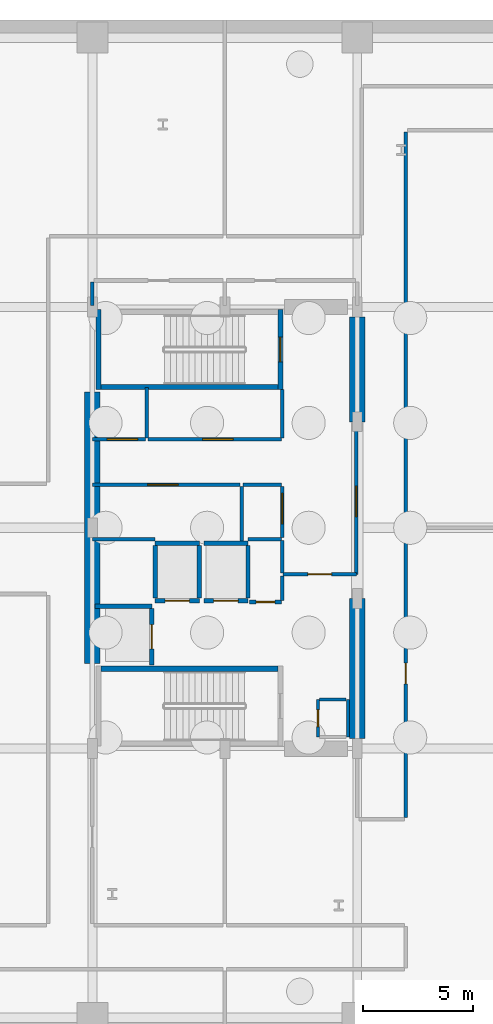
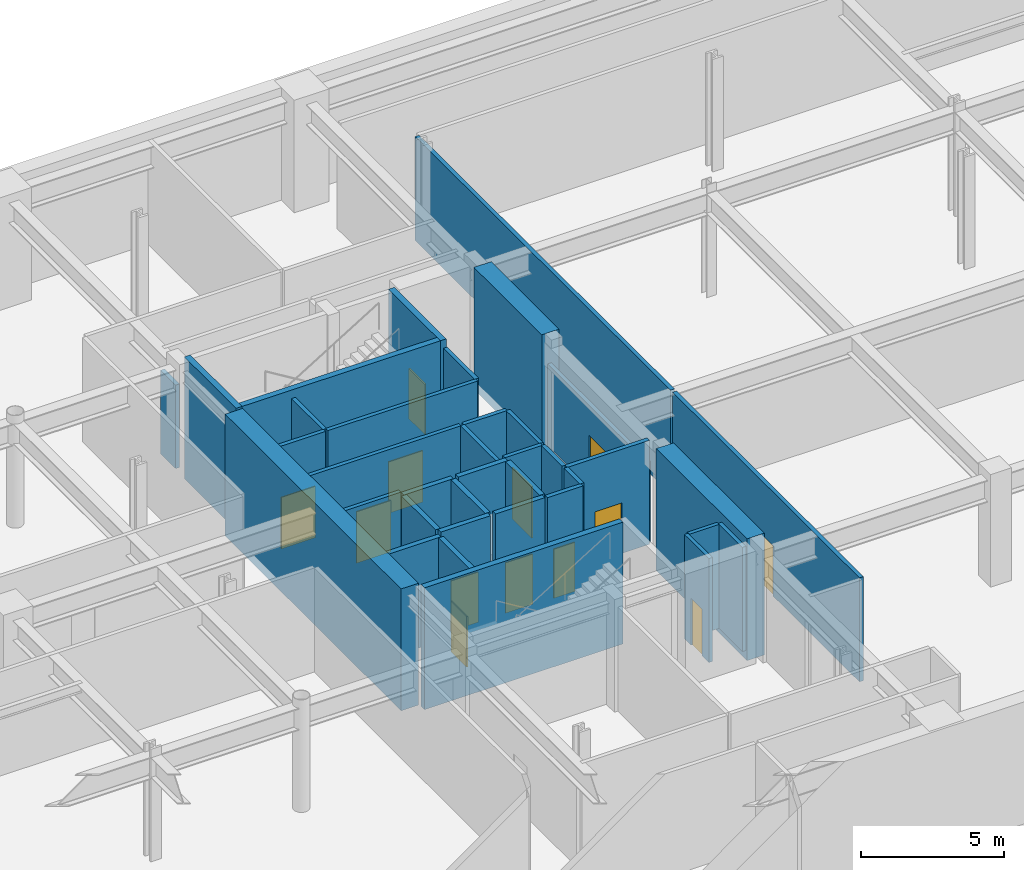
# One storey, part 19 of 25: 37 walls, 13 doors, 13 openings.
"""IFC4 building model written with IfcOpenShell, lengths in metres."""

import ifcopenshell
import ifcopenshell.guid

model = None  # the IFC model being written
_history = None  # IfcOwnerHistory: only IFC2X3 demands one
_inside = {}  # id of a spatial element -> (the spatial element, [elements in it])
_under = {}  # id of a project, library or spatial element -> (it, [spatial elements below it])
_declared = {}  # id of a project -> (the project, [libraries it declares])
_typed = {}  # id of a type object -> (the type object, [elements of that type])
_made_of = {}  # id of a material, layer set ... -> (it, [elements and type objects made of it])


def new_model(schema):
    """Start an empty IFC model of exactly this schema.

    Asked for "IFC4X3", IfcOpenShell would pick the latest addendum, in which some entities
    have other attributes; the version numbers below select the first issue.
    IFC2X3 requires an IfcOwnerHistory on every rooted entity: one is made here for all.
    """
    global model, _history
    if schema == "IFC4X3":
        model = ifcopenshell.file(schema_version=(4, 3, 0, 0))
    else:
        model = ifcopenshell.file(schema=schema)
    _inside.clear()
    _under.clear()
    _declared.clear()
    _typed.clear()
    _made_of.clear()
    _history = None
    if model.schema == "IFC2X3":
        org = make("IfcOrganization", Name="unknown")
        user = make(
            "IfcPersonAndOrganization",
            ThePerson=make("IfcPerson", FamilyName="unknown"),
            TheOrganization=org,
        )
        app = make(
            "IfcApplication",
            ApplicationDeveloper=org,
            Version="unknown",
            ApplicationFullName="unknown",
            ApplicationIdentifier="unknown",
        )
        _history = make(
            "IfcOwnerHistory",
            OwningUser=user,
            OwningApplication=app,
            ChangeAction="ADDED",
            CreationDate=0,
        )
    return model


def make(cls, **values):
    """One entity of the class cls with the attributes given. An attribute that is None is left unset."""
    return model.create_entity(
        cls, **{name: value for name, value in values.items() if value is not None}
    )


def rooted(cls, **values):
    """An entity with a GlobalId (a new one), such as an element, a storey or a relation."""
    return make(cls, GlobalId=ifcopenshell.guid.new(), OwnerHistory=_history, **values)


def si_unit(unit_type, name, prefix=None):
    """IfcSIUnit, for example si_unit("LENGTHUNIT", "METRE", prefix="MILLI")."""
    return make("IfcSIUnit", UnitType=unit_type, Prefix=prefix, Name=name)


def assignment(units):
    """IfcUnitAssignment: the units of a project."""
    return None if units is None else make("IfcUnitAssignment", Units=units)


def point(xyz):
    """IfcCartesianPoint."""
    return None if xyz is None else make("IfcCartesianPoint", Coordinates=xyz)


def direction(xyz):
    """IfcDirection."""
    return None if xyz is None else make("IfcDirection", DirectionRatios=xyz)


def frame(location, z_axis=None, x_axis=None):
    """IfcAxis2Placement3D, a coordinate frame: its origin and axes. An axis left out is left unset."""
    return make(
        "IfcAxis2Placement3D",
        Location=point(location),
        Axis=direction(z_axis),
        RefDirection=direction(x_axis),
    )


def frame_2d(location, x_axis=None):
    """IfcAxis2Placement2D, a coordinate frame in the plane: its origin and x axis."""
    return make(
        "IfcAxis2Placement2D", Location=point(location), RefDirection=direction(x_axis)
    )


def origin():
    """The frame at (0, 0, 0) with its axes left unset."""
    return frame((0.0, 0.0, 0.0))


def place(relative_to, where):
    """IfcLocalPlacement: puts the frame where relative to a parent placement (None: the world)."""
    return make(
        "IfcLocalPlacement", PlacementRelTo=relative_to, RelativePlacement=where
    )


def context(
    kind, dimensions, precision=None, world=None, true_north=None, identifier=None
):
    """IfcGeometricRepresentationContext, for example the 3D "Model" context."""
    return make(
        "IfcGeometricRepresentationContext",
        ContextIdentifier=identifier,
        ContextType=kind,
        CoordinateSpaceDimension=dimensions,
        Precision=precision,
        WorldCoordinateSystem=world,
        TrueNorth=true_north,
    )


def subcontext(parent, identifier, kind, view, scale=None):
    """IfcGeometricRepresentationSubContext, for example "Body" below "Model"."""
    return make(
        "IfcGeometricRepresentationSubContext",
        ContextIdentifier=identifier,
        ContextType=kind,
        ParentContext=parent,
        TargetScale=scale,
        TargetView=view,
    )


def project(units=None, contexts=None):
    """IfcProject with its units and contexts."""
    return rooted(
        "IfcProject",
        Name="project",
        RepresentationContexts=contexts,
        UnitsInContext=assignment(units),
    )


def spatial(cls, under=None, at=None, **own):
    """A site, building, storey or space (cls), placed at a placement, below another one or the project."""
    s = rooted(cls, ObjectPlacement=at, **own)
    if under is not None:
        _under.setdefault(under.id(), (under, []))[1].append(s)
    return s


def profile(cls, at=None, kind="AREA", **sizes):
    """A parametric profile (cls). Its sizes go by their IFC names, for example OverallWidth=200.0."""
    return make(cls, ProfileType=kind, Position=at, **sizes)


def rectangle(**sizes):
    """IfcRectangleProfileDef."""
    return profile("IfcRectangleProfileDef", **sizes)


def extrude(swept, where, along, depth):
    """IfcExtrudedAreaSolid: the profile swept, set in the frame where, extruded along a direction by depth."""
    return make(
        "IfcExtrudedAreaSolid",
        SweptArea=swept,
        Position=where,
        ExtrudedDirection=direction(along),
        Depth=depth,
    )


def shape(context_of_items, identifier, shape_type, items):
    """IfcShapeRepresentation: the items that make up one representation, for example the "Body"."""
    return make(
        "IfcShapeRepresentation",
        ContextOfItems=context_of_items,
        RepresentationIdentifier=identifier,
        RepresentationType=shape_type,
        Items=items,
    )


def material(Name=None, Category=None):
    """IfcMaterial."""
    return make("IfcMaterial", Name=Name, Category=Category)


def layer(
    of_material, thickness, ventilated=None, Name=None, Category=None, Priority=None
):
    """IfcMaterialLayer: one layer of a wall or slab, of a material (None: an air gap)."""
    return make(
        "IfcMaterialLayer",
        Material=of_material,
        LayerThickness=thickness,
        IsVentilated=ventilated,
        Name=Name,
        Category=Category,
        Priority=Priority,
    )


def layer_set(layers, Name=None):
    """IfcMaterialLayerSet."""
    return make("IfcMaterialLayerSet", MaterialLayers=layers, LayerSetName=Name)


def made_of(thing, what):
    """Note that an element or type object is made of a material, layer set ...; save() writes the relation."""
    if what is not None:
        _made_of.setdefault(what.id(), (what, []))[1].append(thing)
    return thing


def type_object(cls, material=None, **own):
    """A type object (cls), such as IfcWallType, which elements share."""
    return made_of(rooted(cls, **own), material)


def element(
    cls,
    number,
    at=None,
    inside=None,
    cuts=None,
    type_object=None,
    material=None,
    context=None,
    identifier="Body",
    shape_type=None,
    held_by="IfcProductDefinitionShape",
    body=None,
    shapes=None,
    **own,
):
    """One element of the class cls, such as IfcWall. Its Tag is "e" and its number.

    at: its placement. inside: the storey or other place that contains it. cuts: it is an
    opening in that element (IfcRelVoidsElement). A single representation is given by context,
    identifier, shape_type and body (its items); several are given by shapes. held_by: the class
    of the entity that holds the representations. save() writes the other relations.
    """
    e = rooted(cls, Tag="e%d" % number, ObjectPlacement=at, **own)
    if body is not None:
        shapes = [shape(context, identifier, shape_type, body)]
    if shapes is not None:
        e.Representation = make(held_by, Representations=shapes)
    if inside is not None:
        _inside.setdefault(inside.id(), (inside, []))[1].append(e)
    if cuts is not None:
        rooted(
            "IfcRelVoidsElement", RelatingBuildingElement=cuts, RelatedOpeningElement=e
        )
    if type_object is not None:
        _typed.setdefault(type_object.id(), (type_object, []))[1].append(e)
    return made_of(e, material)


def fill(opening, filler):
    """IfcRelFillsElement: the door or window that sits in an opening."""
    return rooted(
        "IfcRelFillsElement",
        RelatingOpeningElement=opening,
        RelatedBuildingElement=filler,
    )


def aggregate(whole, parts):
    """IfcRelAggregates: a whole, such as a stair, and the parts it consists of."""
    return rooted("IfcRelAggregates", RelatingObject=whole, RelatedObjects=parts)


def save(model, path):
    """Write the relations noted so far, then the file.

    IfcRelAggregates (storeys below a building ...), IfcRelContainedInSpatialStructure (elements
    in a storey), IfcRelDefinesByType, IfcRelAssociatesMaterial and IfcRelDeclares: one each for
    every whole, place, type object, material and project.
    """
    for whole, parts in _under.values():
        aggregate(whole, parts)
    for where, things in _inside.values():
        rooted(
            "IfcRelContainedInSpatialStructure",
            RelatedElements=things,
            RelatingStructure=where,
        )
    for kind, things in _typed.values():
        rooted("IfcRelDefinesByType", RelatedObjects=things, RelatingType=kind)
    for what, things in _made_of.values():
        rooted("IfcRelAssociatesMaterial", RelatedObjects=things, RelatingMaterial=what)
    for by, libraries in _declared.values():
        rooted("IfcRelDeclares", RelatingContext=by, RelatedDefinitions=libraries)
    model.write(path)


model = new_model("IFC4")

# Units and contexts
model_context = context("Model", 3, precision=1e-05, world=origin(), true_north=direction((0.0, 1.0)))
body_context = subcontext(model_context, "Body", "Model", "MODEL_VIEW")
ifc_project = project(units=[si_unit("LENGTHUNIT", "METRE"), si_unit("AREAUNIT", "SQUARE_METRE"), si_unit("VOLUMEUNIT", "CUBIC_METRE"), si_unit("PLANEANGLEUNIT", "RADIAN"), si_unit("MASSUNIT", "GRAM", prefix="KILO")], contexts=[model_context])

# Site, building, storey
site_placement = place(None, origin())
site = spatial("IfcSite", under=ifc_project, at=site_placement, CompositionType="ELEMENT")
building_placement = place(site_placement, origin())
building = spatial("IfcBuilding", under=site, at=building_placement, Name="Soratama Intermodal Tower", CompositionType="ELEMENT")
storey_placement = place(building_placement, frame((0.0, 0.0, -10.199951171875)))
storey = spatial("IfcBuildingStorey", under=building, at=storey_placement, Name="B2", CompositionType="ELEMENT", Elevation=-10.199951171875)

# Walls
ifc_material_1 = material(Name="Fire-rated gypsum stud partition", Category="concrete")
ifc_layer_1 = layer(ifc_material_1, 0.14990234375)
ifc_layer_set_1 = layer_set([ifc_layer_1], Name="Fire-rated gypsum stud partition")
wall_type_1 = type_object("IfcWallType", Name="IW-PART-R150", PredefinedType="PARTITIONING", material=ifc_layer_set_1)
wall_1_placement = place(storey_placement, frame((42.89990234375, 17.219970703125, 0.0), z_axis=(0.0, 0.0, 1.0), x_axis=(1.0, 0.0, 0.0)))
element("IfcWall", 1, at=wall_1_placement, inside=storey, type_object=wall_type_1, Name="B2 Riser Wall N", PredefinedType="PARTITIONING", context=body_context, shape_type="SweptSolid", body=[
    extrude(rectangle(XDim=1.2001953125, YDim=0.14990234375, at=frame_2d((0.60009765625, 0.0))), origin(), (0.0, 0.0, 1.0), 4.43994140625),
])
wall_2_placement = place(storey_placement, frame((44.179931640625, 15.52001953125, 0.0), z_axis=(0.0, 0.0, 1.0), x_axis=(0.0, 1.0, 0.0)))
element("IfcWall", 2, at=wall_2_placement, inside=storey, type_object=wall_type_1, Name="B2 Riser Wall E", PredefinedType="PARTITIONING", context=body_context, shape_type="SweptSolid", body=[
    extrude(rectangle(XDim=1.699951171875, YDim=0.14990234375, at=frame_2d((0.85009765625, 0.0))), origin(), (0.0, 0.0, 1.0), 4.43994140625),
])

# Wall, opening, door
wall_3_placement = place(storey_placement, frame((42.820068359375, 15.52001953125, 0.0), z_axis=(0.0, 0.0, 1.0), x_axis=(0.0, 1.0, 0.0)))
wall_3 = element("IfcWall", 3, at=wall_3_placement, inside=storey, type_object=wall_type_1, Name="B2 Riser Front Wall", PredefinedType="PARTITIONING", context=body_context, shape_type="SweptSolid", body=[
    extrude(rectangle(XDim=1.699951171875, YDim=0.14990234375, at=frame_2d((0.85009765625, 0.0))), origin(), (0.0, 0.0, 1.0), 4.43994140625),
])
opening_1_placement = place(wall_3_placement, frame((0.469970703125, 0.0, 0.0)))
opening_1 = element("IfcOpeningElement", 4, at=opening_1_placement, cuts=wall_3, Name="Opening TD-1", PredefinedType="OPENING", context=body_context, shape_type="SweptSolid", body=[
    extrude(rectangle(XDim=0.760009765625, YDim=2.0, at=frame_2d((0.3798828125, 1.0))), frame((0.0, 0.0849609375, 0.0), z_axis=(0.0, -1.0, 0.0), x_axis=(1.0, 0.0, 0.0)), (0.0, 0.0, 1.0), 0.169921875),
])
ifc_material_2 = material(Name="Steel fire door", Category="steel")
door_type_1 = type_object("IfcDoorType", Name="DR-RISER-TRAP", OperationType="NOTDEFINED", PredefinedType="TRAPDOOR", material=ifc_material_2)
door_1_placement = place(opening_1_placement, origin())
door_1 = element("IfcDoor", 5, at=door_1_placement, inside=storey, type_object=door_type_1, Name="B2 Riser Inspection Door", OperationType="SINGLE_SWING_LEFT", OverallHeight=2.0, OverallWidth=0.760009765625, PredefinedType="TRAPDOOR", context=body_context, shape_type="SweptSolid", body=[
    extrude(rectangle(XDim=0.760009765625, YDim=2.0, at=frame_2d((0.3798828125, 1.0))), frame((0.0, 0.02490234375, 0.0), z_axis=(0.0, -1.0, 0.0), x_axis=(1.0, 0.0, 0.0)), (0.0, 0.0, 1.0), 0.050048828125),
])
fill(opening_1, door_1)

# Wall
ifc_material_3 = material(Name="Fire-rated gypsum stud partition", Category="concrete")
ifc_layer_2 = layer(ifc_material_3, 0.159912109375)
ifc_layer_set_2 = layer_set([ifc_layer_2], Name="Fire-rated gypsum stud partition")
wall_type_2 = type_object("IfcWallType", Name="IW-PART-R160", PredefinedType="PARTITIONING", material=ifc_layer_set_2)
wall_4_placement = place(storey_placement, frame((46.800048828125, 42.929931640625, 0.0), z_axis=(0.0, 0.0, 1.0), x_axis=(0.0, -1.0, 0.0)))
element("IfcWall", 6, at=wall_4_placement, inside=storey, type_object=wall_type_2, Name="B2 Partition W-B2-TP006", PredefinedType="PARTITIONING", context=body_context, shape_type="SweptSolid", body=[
    extrude(rectangle(XDim=17.85986328125, YDim=0.159912109375, at=frame_2d((8.929931640625, 0.0))), origin(), (0.0, 0.0, 1.0), 4.43994140625),
])

# Wall, opening, door
wall_5_placement = place(storey_placement, frame((46.800048828125, 24.929931640625, 0.0), z_axis=(0.0, 0.0, 1.0), x_axis=(0.0, -1.0, 0.0)))
wall_5 = element("IfcWall", 7, at=wall_5_placement, inside=storey, type_object=wall_type_2, Name="B2 Partition W-B2-TP009", PredefinedType="PARTITIONING", context=body_context, shape_type="SweptSolid", body=[
    extrude(rectangle(XDim=13.059814453125, YDim=0.159912109375, at=frame_2d((6.52978515625, 0.0))), origin(), (0.0, 0.0, 1.0), 4.43994140625),
])
opening_2_placement = place(wall_5_placement, frame((6.054931640625, 0.0, 0.0)))
opening_2 = element("IfcOpeningElement", 8, at=opening_2_placement, cuts=wall_5, Name="Opening ID-3", PredefinedType="OPENING", context=body_context, shape_type="SweptSolid", body=[
    extrude(rectangle(XDim=0.949951171875, YDim=2.14990234375, at=frame_2d((0.47509765625, 1.074951171875))), frame((0.0, 0.08984375, 0.0), z_axis=(0.0, -1.0, 0.0), x_axis=(1.0, 0.0, 0.0)), (0.0, 0.0, 1.0), 0.179931640625),
])
ifc_material_4 = material(Name="Solid hardwood acoustic door", Category="wood")
door_type_2 = type_object("IfcDoorType", Name="DR-ROOM-950", OperationType="NOTDEFINED", PredefinedType="DOOR", material=ifc_material_4)
door_2_placement = place(opening_2_placement, origin())
door_2 = element("IfcDoor", 9, at=door_2_placement, inside=storey, type_object=door_type_2, Name="B2 Door D-B2-TP003", OperationType="SINGLE_SWING_RIGHT", OverallHeight=2.14990234375, OverallWidth=0.949951171875, PredefinedType="DOOR", context=body_context, shape_type="SweptSolid", body=[
    extrude(rectangle(XDim=0.949951171875, YDim=2.14990234375, at=frame_2d((0.47509765625, 1.074951171875))), frame((0.0, 0.02490234375, 0.0), z_axis=(0.0, -1.0, 0.0), x_axis=(1.0, 0.0, 0.0)), (0.0, 0.0, 1.0), 0.050048828125),
])
fill(opening_2, door_2)

wall_6_placement = place(storey_placement, frame((44.56005859375, 29.800048828125, 0.0), z_axis=(0.0, 0.0, 1.0), x_axis=(0.0, -1.0, 0.0)))
wall_6 = element("IfcWall", 10, at=wall_6_placement, inside=storey, type_object=wall_type_2, Name="B2 Partition W-B2-TP019", PredefinedType="PARTITIONING", context=body_context, shape_type="SweptSolid", body=[
    extrude(rectangle(XDim=6.91015625, YDim=0.159912109375, at=frame_2d((3.455078125, 0.0))), origin(), (0.0, 0.0, 1.0), 3.47998046875),
])
opening_3_placement = place(wall_6_placement, frame((2.9150390625, 0.0, 0.0)))
opening_3 = element("IfcOpeningElement", 11, at=opening_3_placement, cuts=wall_6, Name="Opening ID-2", PredefinedType="OPENING", context=body_context, shape_type="SweptSolid", body=[
    extrude(rectangle(XDim=1.3798828125, YDim=2.199951171875, at=frame_2d((0.68994140625, 1.10009765625))), frame((0.0, 0.08984375, 0.0), z_axis=(0.0, -1.0, 0.0), x_axis=(1.0, 0.0, 0.0)), (0.0, 0.0, 1.0), 0.179931640625),
])
ifc_material_5 = material(Name="Solid hardwood acoustic door", Category="wood")
door_type_3 = type_object("IfcDoorType", Name="DR-POD-1400", OperationType="NOTDEFINED", PredefinedType="DOOR", material=ifc_material_5)
door_3_placement = place(opening_3_placement, origin())
door_3 = element("IfcDoor", 12, at=door_3_placement, inside=storey, type_object=door_type_3, Name="B2 Door D-B2-TP006", OperationType="SINGLE_SWING_LEFT", OverallHeight=2.199951171875, OverallWidth=1.3798828125, PredefinedType="DOOR", context=body_context, shape_type="SweptSolid", body=[
    extrude(rectangle(XDim=1.3798828125, YDim=2.199951171875, at=frame_2d((0.68994140625, 1.10009765625))), frame((0.0, 0.02490234375, 0.0), z_axis=(0.0, -1.0, 0.0), x_axis=(1.0, 0.0, 0.0)), (0.0, 0.0, 1.0), 0.050048828125),
])
fill(opening_3, door_3)

wall_7_placement = place(storey_placement, frame((39.300048828125, 26.93994140625, 0.0), z_axis=(0.0, 0.0, 1.0), x_axis=(-1.0, 0.0, 0.0)))
wall_7 = element("IfcWall", 13, at=wall_7_placement, inside=storey, type_object=wall_type_2, Name="B2 Partition W-B2-TP020", PredefinedType="PARTITIONING", context=body_context, shape_type="SweptSolid", body=[
    extrude(rectangle(XDim=6.699951171875, YDim=0.159912109375, at=frame_2d((3.35009765625, 0.0))), origin(), (0.0, 0.0, 1.0), 4.43994140625),
])
opening_4_placement = place(wall_7_placement, frame((2.81005859375, 0.0, 0.0)))
opening_4 = element("IfcOpeningElement", 14, at=opening_4_placement, cuts=wall_7, Name="Opening ID-2", PredefinedType="OPENING", context=body_context, shape_type="SweptSolid", body=[
    extrude(rectangle(XDim=1.3798828125, YDim=2.199951171875, at=frame_2d((0.68994140625, 1.10009765625))), frame((0.0, 0.08984375, 0.0), z_axis=(0.0, -1.0, 0.0), x_axis=(1.0, 0.0, 0.0)), (0.0, 0.0, 1.0), 0.179931640625),
])
door_4_placement = place(opening_4_placement, origin())
door_4 = element("IfcDoor", 15, at=door_4_placement, inside=storey, type_object=door_type_3, Name="B2 Door D-B2-TP007", OperationType="SINGLE_SWING_RIGHT", OverallHeight=2.199951171875, OverallWidth=1.3798828125, PredefinedType="DOOR", context=body_context, shape_type="SweptSolid", body=[
    extrude(rectangle(XDim=1.3798828125, YDim=2.199951171875, at=frame_2d((0.68994140625, 1.10009765625))), frame((0.0, 0.02490234375, 0.0), z_axis=(0.0, -1.0, 0.0), x_axis=(1.0, 0.0, 0.0)), (0.0, 0.0, 1.0), 0.050048828125),
])
fill(opening_4, door_4)

wall_8_placement = place(storey_placement, frame((35.1201171875, 29.010009765625, 0.0), z_axis=(0.0, 0.0, 1.0), x_axis=(1.0, 0.0, 0.0)))
wall_8 = element("IfcWall", 16, at=wall_8_placement, inside=storey, type_object=wall_type_2, Name="B2 Partition W-B2-TP023", PredefinedType="PARTITIONING", context=body_context, shape_type="SweptSolid", body=[
    extrude(rectangle(XDim=6.039794921875, YDim=0.159912109375, at=frame_2d((3.02001953125, 0.0))), origin(), (0.0, 0.0, 1.0), 4.43994140625),
])
opening_5_placement = place(wall_8_placement, frame((2.47998046875, 0.0, 0.0)))
opening_5 = element("IfcOpeningElement", 17, at=opening_5_placement, cuts=wall_8, Name="Opening ID-2", PredefinedType="OPENING", context=body_context, shape_type="SweptSolid", body=[
    extrude(rectangle(XDim=1.3798828125, YDim=2.199951171875, at=frame_2d((0.68994140625, 1.10009765625))), frame((0.0, 0.08984375, 0.0), z_axis=(0.0, -1.0, 0.0), x_axis=(1.0, 0.0, 0.0)), (0.0, 0.0, 1.0), 0.179931640625),
])
door_5_placement = place(opening_5_placement, origin())
door_5 = element("IfcDoor", 18, at=door_5_placement, inside=storey, type_object=door_type_3, Name="B2 Door D-B2-TP008", OperationType="SINGLE_SWING_LEFT", OverallHeight=2.199951171875, OverallWidth=1.3798828125, PredefinedType="DOOR", context=body_context, shape_type="SweptSolid", body=[
    extrude(rectangle(XDim=1.3798828125, YDim=2.199951171875, at=frame_2d((0.68994140625, 1.10009765625))), frame((0.0, 0.02490234375, 0.0), z_axis=(0.0, -1.0, 0.0), x_axis=(1.0, 0.0, 0.0)), (0.0, 0.0, 1.0), 0.050048828125),
])
fill(opening_5, door_5)

# Walls
wall_9_placement = place(storey_placement, frame((35.449951171875, 24.485107421875, 0.0), z_axis=(0.0, 0.0, 1.0), x_axis=(-1.0, 0.0, 0.0)))
element("IfcWall", 19, at=wall_9_placement, inside=storey, type_object=wall_type_2, Name="B2 Partition W-B2-TP030", PredefinedType="PARTITIONING", context=body_context, shape_type="SweptSolid", body=[
    extrude(rectangle(XDim=2.849853515625, YDim=0.159912109375, at=frame_2d((1.4248046875, 0.0))), origin(), (0.0, 0.0, 1.0), 4.43994140625),
])
wall_10_placement = place(storey_placement, frame((39.360107421875, 24.300048828125, 0.0), z_axis=(0.0, 0.0, 1.0), x_axis=(0.0, 1.0, 0.0)))
element("IfcWall", 20, at=wall_10_placement, inside=storey, type_object=wall_type_2, Name="B2 Partition W-B2-TP031", PredefinedType="PARTITIONING", context=body_context, shape_type="SweptSolid", body=[
    extrude(rectangle(XDim=2.579833984375, YDim=0.159912109375, at=frame_2d((1.2900390625, 0.0))), origin(), (0.0, 0.0, 1.0), 4.43994140625),
])

# Wall, opening, door
wall_11_placement = place(storey_placement, frame((32.60009765625, 29.010009765625, 0.0), z_axis=(0.0, 0.0, 1.0), x_axis=(1.0, 0.0, 0.0)))
wall_11 = element("IfcWall", 21, at=wall_11_placement, inside=storey, type_object=wall_type_2, Name="B2 Partition W-B2-TP032", PredefinedType="PARTITIONING", context=body_context, shape_type="SweptSolid", body=[
    extrude(rectangle(XDim=2.419921875, YDim=0.159912109375, at=frame_2d((1.2099609375, 0.0))), origin(), (0.0, 0.0, 1.0), 4.43994140625),
])
opening_6_placement = place(wall_11_placement, frame((0.669921875, 0.0, 0.0)))
opening_6 = element("IfcOpeningElement", 22, at=opening_6_placement, cuts=wall_11, Name="Opening ID-2", PredefinedType="OPENING", context=body_context, shape_type="SweptSolid", body=[
    extrude(rectangle(XDim=1.3798828125, YDim=2.199951171875, at=frame_2d((0.68994140625, 1.10009765625))), frame((0.0, 0.08984375, 0.0), z_axis=(0.0, -1.0, 0.0), x_axis=(1.0, 0.0, 0.0)), (0.0, 0.0, 1.0), 0.179931640625),
])
door_6_placement = place(opening_6_placement, origin())
door_6 = element("IfcDoor", 23, at=door_6_placement, inside=storey, type_object=door_type_3, Name="B2 Door D-B2-TP012", OperationType="SINGLE_SWING_LEFT", OverallHeight=2.199951171875, OverallWidth=1.3798828125, PredefinedType="DOOR", context=body_context, shape_type="SweptSolid", body=[
    extrude(rectangle(XDim=1.3798828125, YDim=2.199951171875, at=frame_2d((0.68994140625, 1.10009765625))), frame((0.0, 0.02490234375, 0.0), z_axis=(0.0, -1.0, 0.0), x_axis=(1.0, 0.0, 0.0)), (0.0, 0.0, 1.0), 0.050048828125),
])
fill(opening_6, door_6)

wall_12_placement = place(storey_placement, frame((41.199951171875, 24.550048828125, 0.0), z_axis=(0.0, 0.0, 1.0), x_axis=(0.0, 1.0, 0.0)))
wall_12 = element("IfcWall", 24, at=wall_12_placement, inside=storey, type_object=wall_type_2, Name="B2 Partition W-B2-TP033", PredefinedType="PARTITIONING", context=body_context, shape_type="SweptSolid", body=[
    extrude(rectangle(XDim=2.329833984375, YDim=0.159912109375, at=frame_2d((1.1650390625, 0.0))), origin(), (0.0, 0.0, 1.0), 4.43994140625),
])
opening_7_placement = place(wall_12_placement, frame((0.625, 0.0, 0.0)))
opening_7 = element("IfcOpeningElement", 25, at=opening_7_placement, cuts=wall_12, Name="Opening ID-2", PredefinedType="OPENING", context=body_context, shape_type="SweptSolid", body=[
    extrude(rectangle(XDim=1.3798828125, YDim=2.199951171875, at=frame_2d((0.68994140625, 1.10009765625))), frame((0.0, 0.08984375, 0.0), z_axis=(0.0, -1.0, 0.0), x_axis=(1.0, 0.0, 0.0)), (0.0, 0.0, 1.0), 0.179931640625),
])
door_7_placement = place(opening_7_placement, origin())
door_7 = element("IfcDoor", 26, at=door_7_placement, inside=storey, type_object=door_type_3, Name="B2 Door D-B2-TP013", OperationType="SINGLE_SWING_RIGHT", OverallHeight=2.199951171875, OverallWidth=1.3798828125, PredefinedType="DOOR", context=body_context, shape_type="SweptSolid", body=[
    extrude(rectangle(XDim=1.3798828125, YDim=2.199951171875, at=frame_2d((0.68994140625, 1.10009765625))), frame((0.0, 0.02490234375, 0.0), z_axis=(0.0, -1.0, 0.0), x_axis=(1.0, 0.0, 0.0)), (0.0, 0.0, 1.0), 0.050048828125),
])
fill(opening_7, door_7)

# Walls
wall_13_placement = place(storey_placement, frame((35.070068359375, 29.070068359375, 0.0), z_axis=(0.0, 0.0, 1.0), x_axis=(0.0, 1.0, 0.0)))
element("IfcWall", 27, at=wall_13_placement, inside=storey, type_object=wall_type_2, Name="B2 Partition W-B2-TP034", PredefinedType="PARTITIONING", context=body_context, shape_type="SweptSolid", body=[
    extrude(rectangle(XDim=2.2900390625, YDim=0.159912109375, at=frame_2d((1.14501953125, 0.0))), origin(), (0.0, 0.0, 1.0), 4.43994140625),
])
wall_14_placement = place(storey_placement, frame((41.199951171875, 29.070068359375, 0.0), z_axis=(0.0, 0.0, 1.0), x_axis=(0.0, 1.0, 0.0)))
element("IfcWall", 28, at=wall_14_placement, inside=storey, type_object=wall_type_2, Name="B2 Partition W-B2-TP035", PredefinedType="PARTITIONING", context=body_context, shape_type="SweptSolid", body=[
    extrude(rectangle(XDim=2.18994140625, YDim=0.159912109375, at=frame_2d((1.094970703125, 0.0))), origin(), (0.0, 0.0, 1.0), 4.43994140625),
])
wall_15_placement = place(storey_placement, frame((41.159912109375, 26.93994140625, 0.0), z_axis=(0.0, 0.0, 1.0), x_axis=(-1.0, 0.0, 0.0)))
element("IfcWall", 29, at=wall_15_placement, inside=storey, type_object=wall_type_2, Name="B2 Partition W-B2-TP038", PredefinedType="PARTITIONING", context=body_context, shape_type="SweptSolid", body=[
    extrude(rectangle(XDim=1.739990234375, YDim=0.159912109375, at=frame_2d((0.8701171875, 0.0))), origin(), (0.0, 0.0, 1.0), 4.43994140625),
])
wall_16_placement = place(storey_placement, frame((39.64990234375, 24.485107421875, 0.0), z_axis=(0.0, 0.0, 1.0), x_axis=(1.0, 0.0, 0.0)))
element("IfcWall", 30, at=wall_16_placement, inside=storey, type_object=wall_type_2, Name="B2 Partition W-B2-TP039", PredefinedType="PARTITIONING", context=body_context, shape_type="SweptSolid", body=[
    extrude(rectangle(XDim=1.510009765625, YDim=0.159912109375, at=frame_2d((0.7548828125, 0.0))), origin(), (0.0, 0.0, 1.0), 4.43994140625),
])
wall_17_placement = place(storey_placement, frame((41.199951171875, 22.9599609375, 0.0), z_axis=(0.0, 0.0, 1.0), x_axis=(0.0, 1.0, 0.0)))
element("IfcWall", 31, at=wall_17_placement, inside=storey, type_object=wall_type_2, Name="B2 Partition W-B2-TP040", PredefinedType="PARTITIONING", context=body_context, shape_type="SweptSolid", body=[
    extrude(rectangle(XDim=1.4599609375, YDim=0.159912109375, at=frame_2d((0.72998046875, 0.0))), origin(), (0.0, 0.0, 1.0), 4.43994140625),
])
wall_18_placement = place(storey_placement, frame((32.60009765625, 36.1298828125, 0.0), z_axis=(0.0, 0.0, 1.0), x_axis=(0.0, -1.0, 0.0)))
element("IfcWall", 32, at=wall_18_placement, inside=storey, type_object=wall_type_2, Name="B2 Partition W-B2-TP045", PredefinedType="PARTITIONING", context=body_context, shape_type="SweptSolid", body=[
    extrude(rectangle(XDim=1.059814453125, YDim=0.159912109375, at=frame_2d((0.52978515625, 0.0))), origin(), (0.0, 0.0, 1.0), 3.56201171875),
])

# Wall, opening, door
ifc_material_6 = material(Name="Fire-rated gypsum stud partition", Category="concrete")
ifc_layer_3 = layer(ifc_material_6, 0.169921875)
ifc_layer_set_3 = layer_set([ifc_layer_3], Name="Fire-rated gypsum stud partition")
wall_type_3 = type_object("IfcWallType", Name="IW-PART-R170", PredefinedType="PARTITIONING", material=ifc_layer_set_3)
wall_19_placement = place(storey_placement, frame((41.239990234375, 22.889892578125, 0.0), z_axis=(0.0, 0.0, 1.0), x_axis=(1.0, 0.0, 0.0)))
wall_19 = element("IfcWall", 33, at=wall_19_placement, inside=storey, type_object=wall_type_3, Name="B2 Partition W-B2-TP027", PredefinedType="PARTITIONING", context=body_context, shape_type="SweptSolid", body=[
    extrude(rectangle(XDim=3.320068359375, YDim=0.169921875, at=frame_2d((1.66015625, 0.0))), origin(), (0.0, 0.0, 1.0), 4.43994140625),
])
opening_8_placement = place(wall_19_placement, frame((1.1201171875, 0.0, 0.0)))
opening_8 = element("IfcOpeningElement", 34, at=opening_8_placement, cuts=wall_19, Name="Opening ID-0", PredefinedType="OPENING", context=body_context, shape_type="SweptSolid", body=[
    extrude(rectangle(XDim=1.080078125, YDim=2.14990234375, at=frame_2d((0.5400390625, 1.074951171875))), frame((0.0, 0.094970703125, 0.0), z_axis=(0.0, -1.0, 0.0), x_axis=(1.0, 0.0, 0.0)), (0.0, 0.0, 1.0), 0.18994140625),
])
ifc_material_7 = material(Name="Solid hardwood acoustic door", Category="wood")
door_type_4 = type_object("IfcDoorType", Name="DR-LOB-FD90", OperationType="NOTDEFINED", PredefinedType="DOOR", material=ifc_material_7)
door_8_placement = place(opening_8_placement, origin())
door_8 = element("IfcDoor", 35, at=door_8_placement, inside=storey, type_object=door_type_4, Name="B2 Door D-B2-TP011", OperationType="SINGLE_SWING_RIGHT", OverallHeight=2.14990234375, OverallWidth=1.080078125, PredefinedType="DOOR", context=body_context, shape_type="SweptSolid", body=[
    extrude(rectangle(XDim=1.080078125, YDim=2.14990234375, at=frame_2d((0.5400390625, 1.074951171875))), frame((0.0, 0.02490234375, 0.0), z_axis=(0.0, -1.0, 0.0), x_axis=(1.0, 0.0, 0.0)), (0.0, 0.0, 1.0), 0.050048828125),
])
fill(opening_8, door_8)

wall_20_placement = place(storey_placement, frame((39.719970703125, 21.639892578125, 0.0), z_axis=(0.0, 0.0, 1.0), x_axis=(1.0, 0.0, 0.0)))
wall_20 = element("IfcWall", 36, at=wall_20_placement, inside=storey, type_object=wall_type_3, Name="B2 Partition W-B2-TP041", PredefinedType="PARTITIONING", context=body_context, shape_type="SweptSolid", body=[
    extrude(rectangle(XDim=1.43994140625, YDim=0.169921875, at=frame_2d((0.719970703125, 0.0))), origin(), (0.0, 0.0, 1.0), 4.43994140625),
])
opening_9_placement = place(wall_20_placement, frame((0.294921875, 0.0, 0.0)))
opening_9 = element("IfcOpeningElement", 37, at=opening_9_placement, cuts=wall_20, Name="Opening ID-4", PredefinedType="OPENING", context=body_context, shape_type="SweptSolid", body=[
    extrude(rectangle(XDim=0.85009765625, YDim=2.10009765625, at=frame_2d((0.425048828125, 1.050048828125))), frame((0.0, 0.094970703125, 0.0), z_axis=(0.0, -1.0, 0.0), x_axis=(1.0, 0.0, 0.0)), (0.0, 0.0, 1.0), 0.18994140625),
])
ifc_material_8 = material(Name="Solid hardwood acoustic door", Category="wood")
door_type_5 = type_object("IfcDoorType", Name="DR-BATH-850", OperationType="NOTDEFINED", PredefinedType="DOOR", material=ifc_material_8)
door_9_placement = place(opening_9_placement, origin())
door_9 = element("IfcDoor", 38, at=door_9_placement, inside=storey, type_object=door_type_5, Name="B2 Door D-B2-TP014", OperationType="SINGLE_SWING_LEFT", OverallHeight=2.10009765625, OverallWidth=0.85009765625, PredefinedType="DOOR", context=body_context, shape_type="SweptSolid", body=[
    extrude(rectangle(XDim=0.85009765625, YDim=2.10009765625, at=frame_2d((0.425048828125, 1.050048828125))), frame((0.0, 0.02490234375, 0.0), z_axis=(0.0, -1.0, 0.0), x_axis=(1.0, 0.0, 0.0)), (0.0, 0.0, 1.0), 0.050048828125),
])
fill(opening_9, door_9)

# Wall
wall_21_placement = place(storey_placement, frame((41.199951171875, 21.699951171875, 0.0), z_axis=(0.0, 0.0, 1.0), x_axis=(0.0, 1.0, 0.0)))
element("IfcWall", 39, at=wall_21_placement, inside=storey, type_object=wall_type_3, Name="B2 Partition W-B2-TP044", PredefinedType="PARTITIONING", context=body_context, shape_type="SweptSolid", body=[
    extrude(rectangle(XDim=1.1201171875, YDim=0.169921875, at=frame_2d((0.56005859375, 0.0))), origin(), (0.0, 0.0, 1.0), 4.43994140625),
])

# Wall, opening, door
ifc_material_9 = material(Name="Concrete f'c 42 MPa", Category="concrete")
ifc_layer_4 = layer(ifc_material_9, 0.199951171875)
ifc_layer_set_4 = layer_set([ifc_layer_4], Name="Concrete f'c 42 MPa")
wall_type_4 = type_object("IfcWallType", Name="IW-SHAFT-200", PredefinedType="SOLIDWALL", material=ifc_layer_set_4)
wall_22_placement = place(storey_placement, frame((35.449951171875, 21.699951171875, 0.0), z_axis=(0.0, 0.0, 1.0), x_axis=(1.0, 0.0, 0.0)))
wall_22 = element("IfcWall", 40, at=wall_22_placement, inside=storey, type_object=wall_type_4, Name="B2 FFL-1 Hoistway Wall S", PredefinedType="SOLIDWALL", context=body_context, shape_type="SweptSolid", body=[
    extrude(rectangle(XDim=2.0, YDim=0.199951171875, at=frame_2d((1.0, 0.0))), origin(), (0.0, 0.0, 1.0), 4.43994140625),
])
opening_10_placement = place(wall_22_placement, frame((0.449951171875, 0.0, 0.0)))
opening_10 = element("IfcOpeningElement", 41, at=opening_10_placement, cuts=wall_22, Name="Opening LD-1", PredefinedType="OPENING", context=body_context, shape_type="SweptSolid", body=[
    extrude(rectangle(XDim=1.10009765625, YDim=2.14990234375, at=frame_2d((0.550048828125, 1.074951171875))), frame((0.0, 0.10986328125, 0.0), z_axis=(0.0, -1.0, 0.0), x_axis=(1.0, 0.0, 0.0)), (0.0, 0.0, 1.0), 0.219970703125),
])
ifc_material_10 = material(Name="Steel fire door", Category="steel")
door_type_6 = type_object("IfcDoorType", Name="DR-LIFT-SLIDE", OperationType="NOTDEFINED", PredefinedType="DOOR", material=ifc_material_10)
door_10_placement = place(opening_10_placement, origin())
door_10 = element("IfcDoor", 42, at=door_10_placement, inside=storey, type_object=door_type_6, Name="B2 FFL-1 Sliding Landing Door", OperationType="SLIDING_TO_LEFT", OverallHeight=2.14990234375, OverallWidth=1.10009765625, PredefinedType="DOOR", context=body_context, shape_type="SweptSolid", body=[
    extrude(rectangle(XDim=1.10009765625, YDim=2.14990234375, at=frame_2d((0.550048828125, 1.074951171875))), frame((0.0, 0.02490234375, 0.0), z_axis=(0.0, -1.0, 0.0), x_axis=(1.0, 0.0, 0.0)), (0.0, 0.0, 1.0), 0.050048828125),
])
fill(opening_10, door_10)

# Walls
wall_23_placement = place(storey_placement, frame((35.449951171875, 24.300048828125, 0.0), z_axis=(0.0, 0.0, 1.0), x_axis=(1.0, 0.0, 0.0)))
element("IfcWall", 43, at=wall_23_placement, inside=storey, type_object=wall_type_4, Name="B2 FFL-1 Hoistway Wall N", PredefinedType="SOLIDWALL", context=body_context, shape_type="SweptSolid", body=[
    extrude(rectangle(XDim=2.0, YDim=0.199951171875, at=frame_2d((1.0, 0.0))), origin(), (0.0, 0.0, 1.0), 4.43994140625),
])
for number, where, z_axis, x_axis, name in (
    (44, (35.449951171875, 21.81005859375, 0.0), (0.0, 0.0, 1.0), (0.0, 1.0, 0.0), "B2 FFL-1 Hoistway Wall W"),
    (45, (37.449951171875, 21.81005859375, 0.0), (0.0, 0.0, 1.0), (0.0, 1.0, 0.0), "B2 FFL-1 Hoistway Wall E"),
):
    element("IfcWall", number, at=place(storey_placement, frame(where, z_axis=z_axis, x_axis=x_axis)), inside=storey, type_object=wall_type_4, Name=name, PredefinedType="SOLIDWALL", context=body_context, shape_type="SweptSolid", body=[
        extrude(rectangle(XDim=2.3798828125, YDim=0.199951171875, at=frame_2d((1.18994140625, 0.0))), origin(), (0.0, 0.0, 1.0), 4.43994140625),
    ])

# Wall, opening, door
wall_24_placement = place(storey_placement, frame((37.64990234375, 21.699951171875, 0.0), z_axis=(0.0, 0.0, 1.0), x_axis=(1.0, 0.0, 0.0)))
wall_24 = element("IfcWall", 46, at=wall_24_placement, inside=storey, type_object=wall_type_4, Name="B2 FFL-2 Hoistway Wall S", PredefinedType="SOLIDWALL", context=body_context, shape_type="SweptSolid", body=[
    extrude(rectangle(XDim=2.0, YDim=0.199951171875, at=frame_2d((1.0, 0.0))), origin(), (0.0, 0.0, 1.0), 4.43994140625),
])
opening_11_placement = place(wall_24_placement, frame((0.449951171875, 0.0, 0.0)))
opening_11 = element("IfcOpeningElement", 47, at=opening_11_placement, cuts=wall_24, Name="Opening LD-1", PredefinedType="OPENING", context=body_context, shape_type="SweptSolid", body=[
    extrude(rectangle(XDim=1.10009765625, YDim=2.14990234375, at=frame_2d((0.550048828125, 1.074951171875))), frame((0.0, 0.10986328125, 0.0), z_axis=(0.0, -1.0, 0.0), x_axis=(1.0, 0.0, 0.0)), (0.0, 0.0, 1.0), 0.219970703125),
])
door_11_placement = place(opening_11_placement, origin())
door_11 = element("IfcDoor", 48, at=door_11_placement, inside=storey, type_object=door_type_6, Name="B2 FFL-2 Sliding Landing Door", OperationType="SLIDING_TO_LEFT", OverallHeight=2.14990234375, OverallWidth=1.10009765625, PredefinedType="DOOR", context=body_context, shape_type="SweptSolid", body=[
    extrude(rectangle(XDim=1.10009765625, YDim=2.14990234375, at=frame_2d((0.550048828125, 1.074951171875))), frame((0.0, 0.02490234375, 0.0), z_axis=(0.0, -1.0, 0.0), x_axis=(1.0, 0.0, 0.0)), (0.0, 0.0, 1.0), 0.050048828125),
])
fill(opening_11, door_11)

# Walls
wall_25_placement = place(storey_placement, frame((37.64990234375, 24.300048828125, 0.0), z_axis=(0.0, 0.0, 1.0), x_axis=(1.0, 0.0, 0.0)))
element("IfcWall", 49, at=wall_25_placement, inside=storey, type_object=wall_type_4, Name="B2 FFL-2 Hoistway Wall N", PredefinedType="SOLIDWALL", context=body_context, shape_type="SweptSolid", body=[
    extrude(rectangle(XDim=2.0, YDim=0.199951171875, at=frame_2d((1.0, 0.0))), origin(), (0.0, 0.0, 1.0), 4.43994140625),
])
wall_26_placement = place(storey_placement, frame((39.64990234375, 21.81005859375, 0.0), z_axis=(0.0, 0.0, 1.0), x_axis=(0.0, 1.0, 0.0)))
element("IfcWall", 50, at=wall_26_placement, inside=storey, type_object=wall_type_4, Name="B2 FFL-2 Hoistway Wall E", PredefinedType="SOLIDWALL", context=body_context, shape_type="SweptSolid", body=[
    extrude(rectangle(XDim=2.3798828125, YDim=0.199951171875, at=frame_2d((1.18994140625, 0.0))), origin(), (0.0, 0.0, 1.0), 4.43994140625),
])
wall_27_placement = place(storey_placement, frame((32.719970703125, 21.449951171875, 0.0), z_axis=(0.0, 0.0, 1.0), x_axis=(1.0, 0.0, 0.0)))
element("IfcWall", 51, at=wall_27_placement, inside=storey, type_object=wall_type_4, Name="B2 SVL-1 Hoistway Wall N", PredefinedType="SOLIDWALL", context=body_context, shape_type="SweptSolid", body=[
    extrude(rectangle(XDim=2.580078125, YDim=0.199951171875, at=frame_2d((1.2900390625, 0.0))), origin(), (0.0, 0.0, 1.0), 4.43994140625),
])

# Wall, opening, door
wall_28_placement = place(storey_placement, frame((35.300048828125, 18.7900390625, 0.0), z_axis=(0.0, 0.0, 1.0), x_axis=(0.0, 1.0, 0.0)))
wall_28 = element("IfcWall", 52, at=wall_28_placement, inside=storey, type_object=wall_type_4, Name="B2 SVL-1 Hoistway Wall E", PredefinedType="SOLIDWALL", context=body_context, shape_type="SweptSolid", body=[
    extrude(rectangle(XDim=2.550048828125, YDim=0.199951171875, at=frame_2d((1.27490234375, 0.0))), origin(), (0.0, 0.0, 1.0), 4.43994140625),
])
opening_12_placement = place(wall_28_placement, frame((0.72509765625, 0.0, 0.0)))
opening_12 = element("IfcOpeningElement", 53, at=opening_12_placement, cuts=wall_28, Name="Opening LD-1", PredefinedType="OPENING", context=body_context, shape_type="SweptSolid", body=[
    extrude(rectangle(XDim=1.10009765625, YDim=2.14990234375, at=frame_2d((0.550048828125, 1.074951171875))), frame((0.0, 0.10986328125, 0.0), z_axis=(0.0, -1.0, 0.0), x_axis=(1.0, 0.0, 0.0)), (0.0, 0.0, 1.0), 0.219970703125),
])
door_12_placement = place(opening_12_placement, origin())
door_12 = element("IfcDoor", 54, at=door_12_placement, inside=storey, type_object=door_type_6, Name="B2 SVL-1 Sliding Landing Door", OperationType="SLIDING_TO_LEFT", OverallHeight=2.14990234375, OverallWidth=1.10009765625, PredefinedType="DOOR", context=body_context, shape_type="SweptSolid", body=[
    extrude(rectangle(XDim=1.10009765625, YDim=2.14990234375, at=frame_2d((0.550048828125, 1.074951171875))), frame((0.0, 0.02490234375, 0.0), z_axis=(0.0, -1.0, 0.0), x_axis=(1.0, 0.0, 0.0)), (0.0, 0.0, 1.0), 0.050048828125),
])
fill(opening_12, door_12)

# Walls
ifc_material_11 = material(Name="Concrete f'c 56 MPa", Category="concrete")
ifc_layer_5 = layer(ifc_material_11, 0.699951171875)
ifc_layer_set_5 = layer_set([ifc_layer_5], Name="Concrete f'c 56 MPa")
wall_type_5 = type_object("IfcWallType", Name="SW-CORE-700", PredefinedType="SHEAR", material=ifc_layer_set_5)
wall_29_placement = place(storey_placement, frame((32.60009765625, 18.85009765625, -0.400146484375), z_axis=(0.0, 0.0, 1.0), x_axis=(0.0, 1.0, 0.0)))
element("IfcWall", 55, at=wall_29_placement, inside=storey, type_object=wall_type_5, Name="B2 Core Shear Wall CW-WMID", PredefinedType="SHEAR", context=body_context, shape_type="SweptSolid", body=[
    extrude(rectangle(XDim=12.2998046875, YDim=0.699951171875, at=frame_2d((6.14990234375, 0.0))), origin(), (0.0, 0.0, 1.0), 5.2001953125),
])
wall_30_placement = place(storey_placement, frame((44.60009765625, 15.449951171875, -0.400146484375), z_axis=(0.0, 0.0, 1.0), x_axis=(0.0, 1.0, 0.0)))
element("IfcWall", 56, at=wall_30_placement, inside=storey, type_object=wall_type_5, Name="B2 Core Shear Wall CW-ES", PredefinedType="SHEAR", context=body_context, shape_type="SweptSolid", body=[
    extrude(rectangle(XDim=6.35009765625, YDim=0.699951171875, at=frame_2d((3.175048828125, 0.0))), origin(), (0.0, 0.0, 1.0), 5.2001953125),
])
wall_31_placement = place(storey_placement, frame((44.60009765625, 29.800048828125, -0.400146484375), z_axis=(0.0, 0.0, 1.0), x_axis=(0.0, 1.0, 0.0)))
element("IfcWall", 57, at=wall_31_placement, inside=storey, type_object=wall_type_5, Name="B2 Core Shear Wall CW-EN", PredefinedType="SHEAR", context=body_context, shape_type="SweptSolid", body=[
    extrude(rectangle(XDim=4.75, YDim=0.699951171875, at=frame_2d((2.375, 0.0))), origin(), (0.0, 0.0, 1.0), 5.2001953125),
])
ifc_material_12 = material(Name="Concrete f'c 56 MPa", Category="concrete")
ifc_layer_6 = layer(ifc_material_12, 0.239990234375)
ifc_layer_set_6 = layer_set([ifc_layer_6], Name="Concrete f'c 56 MPa")
wall_type_6 = type_object("IfcWallType", Name="SW-STAIR-240", PredefinedType="SHEAR", material=ifc_layer_set_6)
wall_32_placement = place(storey_placement, frame((33.0, 18.6201171875, -0.400146484375), z_axis=(0.0, 0.0, 1.0), x_axis=(1.0, 0.0, 0.0)))
element("IfcWall", 58, at=wall_32_placement, inside=storey, type_object=wall_type_6, Name="B2 ST-1 Shaft Shear Wall N", PredefinedType="SHEAR", context=body_context, shape_type="SweptSolid", body=[
    extrude(rectangle(XDim=8.0, YDim=0.239990234375, at=frame_2d((4.0, 0.0))), origin(), (0.0, 0.0, 1.0), 5.2001953125),
])
wall_33_placement = place(storey_placement, frame((32.8798828125, 31.260009765625, -0.400146484375), z_axis=(0.0, 0.0, 1.0), x_axis=(0.0, 1.0, 0.0)))
element("IfcWall", 59, at=wall_33_placement, inside=storey, type_object=wall_type_6, Name="B2 ST-2 Shaft Shear Wall W", PredefinedType="SHEAR", context=body_context, shape_type="SweptSolid", body=[
    extrude(rectangle(XDim=3.6298828125, YDim=0.239990234375, at=frame_2d((1.81494140625, 0.0))), origin(), (0.0, 0.0, 1.0), 5.2001953125),
])

# Wall, opening, door
wall_34_placement = place(storey_placement, frame((41.1201171875, 31.260009765625, -0.400146484375), z_axis=(0.0, 0.0, 1.0), x_axis=(0.0, 1.0, 0.0)))
wall_34 = element("IfcWall", 60, at=wall_34_placement, inside=storey, type_object=wall_type_6, Name="B2 ST-2 Shaft Shear Wall E", PredefinedType="SHEAR", context=body_context, shape_type="SweptSolid", body=[
    extrude(rectangle(XDim=3.6298828125, YDim=0.239990234375, at=frame_2d((1.81494140625, 0.0))), origin(), (0.0, 0.0, 1.0), 5.2001953125),
])
opening_13_placement = place(wall_34_placement, frame((1.2548828125, 0.0, 0.39990234375)))
opening_13 = element("IfcOpeningElement", 61, at=opening_13_placement, cuts=wall_34, Name="Opening SD-1", PredefinedType="OPENING", context=body_context, shape_type="SweptSolid", body=[
    extrude(rectangle(XDim=1.1201171875, YDim=2.14990234375, at=frame_2d((0.56005859375, 1.074951171875))), frame((0.0, 0.1298828125, 0.0), z_axis=(0.0, -1.0, 0.0), x_axis=(1.0, 0.0, 0.0)), (0.0, 0.0, 1.0), 0.260009765625),
])
ifc_material_13 = material(Name="Steel fire door", Category="steel")
door_type_7 = type_object("IfcDoorType", Name="DR-STAIR-FD90", OperationType="NOTDEFINED", PredefinedType="DOOR", material=ifc_material_13)
door_13_placement = place(opening_13_placement, origin())
door_13 = element("IfcDoor", 62, at=door_13_placement, inside=storey, type_object=door_type_7, Name="B2 ST-2 Exit Stair Door", OperationType="SINGLE_SWING_RIGHT", OverallHeight=2.14990234375, OverallWidth=1.1201171875, PredefinedType="DOOR", context=body_context, shape_type="SweptSolid", body=[
    extrude(rectangle(XDim=1.1201171875, YDim=2.14990234375, at=frame_2d((0.56005859375, 1.074951171875))), frame((0.0, 0.02490234375, 0.0), z_axis=(0.0, -1.0, 0.0), x_axis=(1.0, 0.0, 0.0)), (0.0, 0.0, 1.0), 0.050048828125),
])
fill(opening_13, door_13)

# Wall
wall_35_placement = place(storey_placement, frame((33.0, 31.3798828125, -0.400146484375), z_axis=(0.0, 0.0, 1.0), x_axis=(1.0, 0.0, 0.0)))
element("IfcWall", 63, at=wall_35_placement, inside=storey, type_object=wall_type_6, Name="B2 ST-2 Shaft Shear Wall S", PredefinedType="SHEAR", context=body_context, shape_type="SweptSolid", body=[
    extrude(rectangle(XDim=8.0, YDim=0.239990234375, at=frame_2d((4.0, 0.0))), origin(), (0.0, 0.0, 1.0), 5.2001953125),
])

save(model, "model.ifc")
